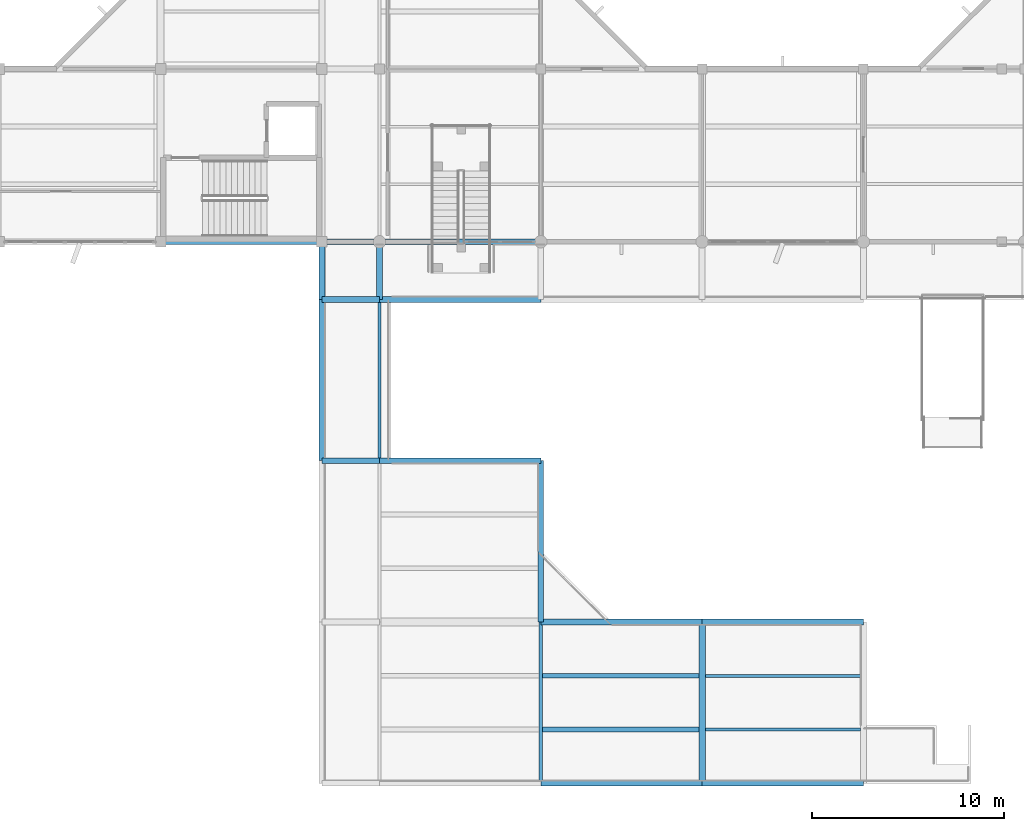
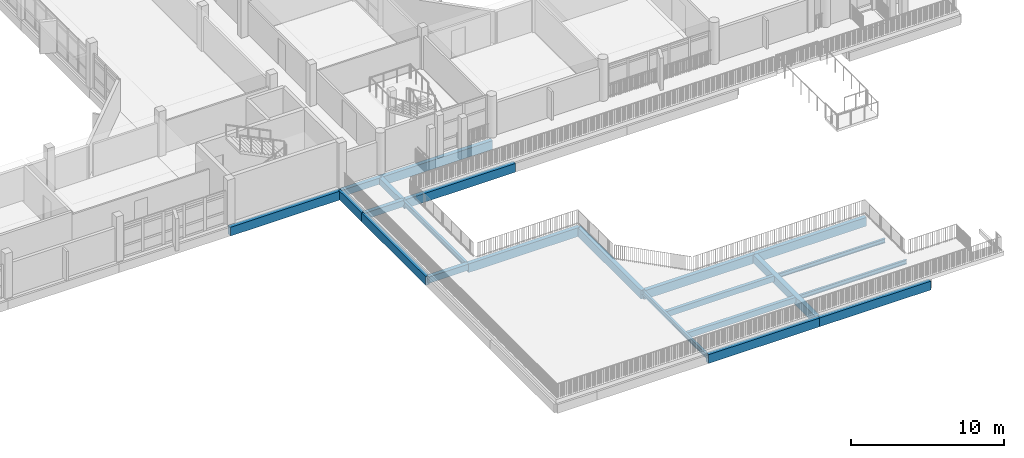
# One storey, part 4 of 51: 22 beams.
"""IFC4 building model written with IfcOpenShell, lengths in metres."""

from ifc_helpers import new_model, si_unit, direction, frame, origin, origin_2d, place, context, subcontext, project, spatial, rectangle, i_section, extrude, material, material_profile, profile_set, type_object, element, save


model = new_model("IFC4")

# Units and contexts
model_context = context("Model", 3, precision=1e-05, world=origin(), true_north=direction((0.0, 1.0)))
body_context = subcontext(model_context, "Body", "Model", "MODEL_VIEW")
ifc_project = project(units=[si_unit("LENGTHUNIT", "METRE"), si_unit("AREAUNIT", "SQUARE_METRE"), si_unit("VOLUMEUNIT", "CUBIC_METRE"), si_unit("PLANEANGLEUNIT", "RADIAN"), si_unit("MASSUNIT", "GRAM", prefix="KILO")], contexts=[model_context])

# Site, building, storey
site_placement = place(None, origin())
site = spatial("IfcSite", under=ifc_project, at=site_placement, CompositionType="ELEMENT")
building_placement = place(site_placement, origin())
building = spatial("IfcBuilding", under=site, at=building_placement, Name="Vanh Quang Courtyard School", CompositionType="ELEMENT")
storey_placement = place(building_placement, frame((0.0, 0.0, 11.39990234375)))
storey = spatial("IfcBuildingStorey", under=building, at=storey_placement, Name="L03", CompositionType="ELEMENT", Elevation=11.39990234375)

# Beams
ifc_material_1 = material(Name="Concrete C35/45", Category="concrete")
ifc_material_profile_1 = material_profile(ifc_material_1, rectangle(XDim=0.300048828125, YDim=0.5, at=origin_2d()), Name="RC-BM 300x500")
ifc_profile_set_1 = profile_set([ifc_material_profile_1], Name="Concrete C35/45")
beam_type_1 = type_object("IfcBeamType", Name="BM-RC-300x500", PredefinedType="BEAM", material=ifc_profile_set_1)
for number, where, z_axis, x_axis, name in (
    (1, (74.39990234375, 21.0, -0.56982421875), (1.0, 0.0, 0.0), (0.0, 1.0, 0.0), "Beam B-08 (L03)"),
    (2, (74.39990234375, 29.39990234375, -0.56982421875), (1.0, 0.0, 0.0), (0.0, 1.0, 0.0), "Beam B-08 (L03)"),
    (3, (74.39990234375, 32.39990234375, -0.56982421875), (1.0, 0.0, 0.0), (0.0, 1.0, 0.0), "Beam B-08 (L03)"),
):
    element("IfcBeam", number, at=place(storey_placement, frame(where, z_axis=z_axis, x_axis=x_axis)), inside=storey, type_object=beam_type_1, Name=name, PredefinedType="BEAM", context=body_context, shape_type="SweptSolid", body=[
        extrude(rectangle(XDim=0.300048828125, YDim=0.5, at=origin_2d()), origin(), (0.0, 0.0, 1.0), 3.0),
    ])
ifc_material_profile_2 = material_profile(ifc_material_1, rectangle(XDim=0.300048828125, YDim=0.550048828125, at=origin_2d()), Name="RC-BM 300x550")
ifc_profile_set_2 = profile_set([ifc_material_profile_2], Name="Concrete C35/45")
beam_type_2 = type_object("IfcBeamType", Name="BM-RC-300x550", PredefinedType="BEAM", material=ifc_profile_set_2)
beam_1_placement = place(storey_placement, frame((77.39990234375, 29.39990234375, -0.594970703125), z_axis=(0.0, 1.0, 0.0), x_axis=(-1.0, 0.0, 0.0)))
element("IfcBeam", 4, at=beam_1_placement, inside=storey, type_object=beam_type_2, Name="Beam B-07 (L03)", PredefinedType="BEAM", context=body_context, shape_type="SweptSolid", body=[
    extrude(rectangle(XDim=0.300048828125, YDim=0.550048828125, at=origin_2d()), origin(), (0.0, 0.0, 1.0), 3.0),
])
ifc_material_profile_3 = material_profile(ifc_material_1, rectangle(XDim=0.35009765625, YDim=0.64990234375, at=origin_2d()), Name="RC-BM 350x650")
ifc_profile_set_3 = profile_set([ifc_material_profile_3], Name="Concrete C35/45")
beam_type_3 = type_object("IfcBeamType", Name="BM-RC-350x650", PredefinedType="BEAM", material=ifc_profile_set_3)
beam_2_placement = place(storey_placement, frame((94.199951171875, 4.199951171875, -0.64501953125), z_axis=(0.0, 1.0, 0.0), x_axis=(-1.0, 0.0, 0.0)))
element("IfcBeam", 5, at=beam_2_placement, inside=storey, type_object=beam_type_3, Name="Beam B-05 (L03)", PredefinedType="BEAM", context=body_context, shape_type="SweptSolid", body=[
    extrude(rectangle(XDim=0.35009765625, YDim=0.64990234375, at=origin_2d()), origin(), (0.0, 0.0, 1.0), 8.400146484375),
])
ifc_material_profile_4 = material_profile(ifc_material_1, rectangle(XDim=0.300048828125, YDim=0.699951171875, at=origin_2d()), Name="RC-SP 300x700")
ifc_profile_set_4 = profile_set([ifc_material_profile_4], Name="Concrete C35/45")
beam_type_4 = type_object("IfcBeamType", Name="BM-SP-300x700", PredefinedType="SPANDREL", material=ifc_profile_set_4)
beam_3_placement = place(storey_placement, frame((85.800048828125, 4.199951171875, -0.669921875), z_axis=(1.0, 0.0, 0.0), x_axis=(0.0, 1.0, 0.0)))
element("IfcBeam", 6, at=beam_3_placement, inside=storey, type_object=beam_type_4, Name="Beam BS-01 (L03)", PredefinedType="SPANDREL", context=body_context, shape_type="SweptSolid", body=[
    extrude(rectangle(XDim=0.300048828125, YDim=0.699951171875, at=origin_2d()), origin(), (0.0, 0.0, 1.0), 8.39990234375),
])
beam_4_placement = place(storey_placement, frame((94.199951171875, 4.199951171875, -0.669921875), z_axis=(1.0, 0.0, 0.0), x_axis=(0.0, 1.0, 0.0)))
element("IfcBeam", 7, at=beam_4_placement, inside=storey, type_object=beam_type_4, Name="Beam BS-01 (L03)", PredefinedType="SPANDREL", context=body_context, shape_type="SweptSolid", body=[
    extrude(rectangle(XDim=0.300048828125, YDim=0.699951171875, at=origin_2d()), origin(), (0.0, 0.0, 1.0), 8.400146484375),
])
beam_5_placement = place(storey_placement, frame((85.800048828125, 12.60009765625, -0.669921875), z_axis=(1.0, 0.0, 0.0), x_axis=(0.0, 1.0, 0.0)))
element("IfcBeam", 8, at=beam_5_placement, inside=storey, type_object=beam_type_4, Name="Beam BS-01 (L03)", PredefinedType="SPANDREL", context=body_context, shape_type="SweptSolid", body=[
    extrude(rectangle(XDim=0.300048828125, YDim=0.699951171875, at=origin_2d()), origin(), (0.0, 0.0, 1.0), 8.39990234375),
])
for number, where, z_axis, x_axis, name in (
    (9, (94.199951171875, 12.60009765625, -0.669921875), (1.0, 0.0, 0.0), (0.0, 1.0, 0.0), "Beam BS-01 (L03)"),
    (10, (77.39990234375, 21.0, -0.669921875), (1.0, 0.0, 0.0), (0.0, 1.0, 0.0), "Beam BS-01 (L03)"),
    (11, (77.39990234375, 29.39990234375, -0.669921875), (1.0, 0.0, 0.0), (0.0, 1.0, 0.0), "Beam BS-01 (L03)"),
):
    element("IfcBeam", number, at=place(storey_placement, frame(where, z_axis=z_axis, x_axis=x_axis)), inside=storey, type_object=beam_type_4, Name=name, PredefinedType="SPANDREL", context=body_context, shape_type="SweptSolid", body=[
        extrude(rectangle(XDim=0.300048828125, YDim=0.699951171875, at=origin_2d()), origin(), (0.0, 0.0, 1.0), 8.400146484375),
    ])
beam_6_placement = place(storey_placement, frame((66.0, 32.39990234375, -0.669921875), z_axis=(1.0, 0.0, 0.0), x_axis=(0.0, 1.0, 0.0)))
element("IfcBeam", 12, at=beam_6_placement, inside=storey, type_object=beam_type_4, Name="Beam BS-01 (L03)", PredefinedType="SPANDREL", context=body_context, shape_type="SweptSolid", body=[
    extrude(rectangle(XDim=0.300048828125, YDim=0.699951171875, at=origin_2d()), origin(), (0.0, 0.0, 1.0), 8.39990234375),
])
beam_7_placement = place(storey_placement, frame((77.39990234375, 32.39990234375, -0.669921875), z_axis=(1.0, 0.0, 0.0), x_axis=(0.0, 1.0, 0.0)))
element("IfcBeam", 13, at=beam_7_placement, inside=storey, type_object=beam_type_4, Name="Beam BS-01 (L03)", PredefinedType="SPANDREL", context=body_context, shape_type="SweptSolid", body=[
    extrude(rectangle(XDim=0.300048828125, YDim=0.699951171875, at=origin_2d()), origin(), (0.0, 0.0, 1.0), 8.400146484375),
])
beam_8_placement = place(storey_placement, frame((74.39990234375, 21.0, -0.669921875), z_axis=(0.0, 1.0, 0.0), x_axis=(-1.0, 0.0, 0.0)))
element("IfcBeam", 14, at=beam_8_placement, inside=storey, type_object=beam_type_4, Name="Beam BS-01 (L03)", PredefinedType="SPANDREL", context=body_context, shape_type="SweptSolid", body=[
    extrude(rectangle(XDim=0.300048828125, YDim=0.699951171875, at=origin_2d()), origin(), (0.0, 0.0, 1.0), 8.39990234375),
])
beam_9_placement = place(storey_placement, frame((74.39990234375, 29.39990234375, -0.669921875), z_axis=(0.0, 1.0, 0.0), x_axis=(-1.0, 0.0, 0.0)))
element("IfcBeam", 15, at=beam_9_placement, inside=storey, type_object=beam_type_4, Name="Beam BS-01 (L03)", PredefinedType="SPANDREL", context=body_context, shape_type="SweptSolid", body=[
    extrude(rectangle(XDim=0.300048828125, YDim=0.699951171875, at=origin_2d()), origin(), (0.0, 0.0, 1.0), 3.0),
])
beam_10_placement = place(storey_placement, frame((85.800048828125, 12.60009765625, -0.669921875), z_axis=(0.0, 1.0, 0.0), x_axis=(-1.0, 0.0, 0.0)))
element("IfcBeam", 16, at=beam_10_placement, inside=storey, type_object=beam_type_4, Name="Beam BS-01 (L03)", PredefinedType="SPANDREL", context=body_context, shape_type="SweptSolid", body=[
    extrude(rectangle(XDim=0.300048828125, YDim=0.699951171875, at=origin_2d()), origin(), (0.0, 0.0, 1.0), 8.39990234375),
])
ifc_material_2 = material(Name="Structural steel EN 10025-2 S355J2", Category="steel")
ifc_material_profile_5 = material_profile(ifc_material_2, i_section(OverallWidth=0.169921875, OverallDepth=0.360107421875, WebThickness=0.008056640625, FlangeThickness=0.0126953125, FilletRadius=0.01806640625, at=origin_2d()), Name="IPE 360")
ifc_profile_set_5 = profile_set([ifc_material_profile_5], Name="Structural steel EN 10025-2 S355J2")
beam_type_5 = type_object("IfcBeamType", Name="BM-STL-IPE360", PredefinedType="BEAM", material=ifc_profile_set_5)
beam_11_placement = place(storey_placement, frame((85.800048828125, 4.199951171875, -0.5), z_axis=(0.0, 1.0, 0.0), x_axis=(-1.0, 0.0, 0.0)))
element("IfcBeam", 17, at=beam_11_placement, inside=storey, type_object=beam_type_5, Name="Beam SB-06 (L03)", PredefinedType="BEAM", context=body_context, shape_type="SweptSolid", body=[
    extrude(i_section(OverallWidth=0.169921875, OverallDepth=0.360107421875, WebThickness=0.008056640625, FlangeThickness=0.0126953125, FilletRadius=0.01806640625, at=origin_2d()), origin(), (0.0, 0.0, 1.0), 8.400146484375),
])
ifc_material_profile_6 = material_profile(ifc_material_2, i_section(OverallWidth=0.179931640625, OverallDepth=0.39990234375, WebThickness=0.008544921875, FlangeThickness=0.013427734375, FilletRadius=0.02099609375, at=origin_2d()), Name="IPE 400")
ifc_profile_set_6 = profile_set([ifc_material_profile_6], Name="Structural steel EN 10025-2 S355J2")
beam_type_6 = type_object("IfcBeamType", Name="BM-STL-IPE400", PredefinedType="BEAM", material=ifc_profile_set_6)
beam_12_placement = place(storey_placement, frame((77.39990234375, 21.0, -0.52001953125), z_axis=(0.0, 1.0, 0.0), x_axis=(-1.0, 0.0, 0.0)))
element("IfcBeam", 18, at=beam_12_placement, inside=storey, type_object=beam_type_6, Name="Beam SB-05 (L03)", PredefinedType="BEAM", context=body_context, shape_type="SweptSolid", body=[
    extrude(i_section(OverallWidth=0.179931640625, OverallDepth=0.39990234375, WebThickness=0.008544921875, FlangeThickness=0.013427734375, FilletRadius=0.02099609375, at=origin_2d()), origin(), (0.0, 0.0, 1.0), 8.39990234375),
])
ifc_material_3 = material(Name="Concrete C30/37", Category="concrete")
ifc_material_profile_7 = material_profile(ifc_material_3, rectangle(XDim=0.25, YDim=0.449951171875, at=origin_2d()), Name="RC-JST 250x450")
ifc_profile_set_7 = profile_set([ifc_material_profile_7], Name="Concrete C30/37")
beam_type_7 = type_object("IfcBeamType", Name="JST-RC-250x450", PredefinedType="JOIST", material=ifc_profile_set_7)
for number, where, z_axis, x_axis, name in (
    (19, (85.885009765625, 7.0, -0.544921875), (1.0, 0.0, 0.0), (0.0, 1.0, 0.0), "Beam BJ-02 (L03)"),
    (20, (85.885009765625, 9.800048828125, -0.544921875), (1.0, 0.0, 0.0), (0.0, 1.0, 0.0), "Beam BJ-02 (L03)"),
):
    element("IfcBeam", number, at=place(storey_placement, frame(where, z_axis=z_axis, x_axis=x_axis)), inside=storey, type_object=beam_type_7, Name=name, PredefinedType="JOIST", context=body_context, shape_type="SweptSolid", body=[
        extrude(rectangle(XDim=0.25, YDim=0.449951171875, at=origin_2d()), origin(), (0.0, 0.0, 1.0), 8.139892578125),
    ])
ifc_material_profile_8 = material_profile(ifc_material_2, i_section(OverallWidth=0.159912109375, OverallDepth=0.330078125, WebThickness=0.007568359375, FlangeThickness=0.011474609375, FilletRadius=0.01806640625, at=origin_2d()), Name="IPE 330")
ifc_profile_set_8 = profile_set([ifc_material_profile_8], Name="Structural steel EN 10025-2 S355J2")
beam_type_8 = type_object("IfcBeamType", Name="JST-STL-IPE330", PredefinedType="JOIST", material=ifc_profile_set_8)
for number, where, z_axis, x_axis, name in (
    (21, (94.375, 7.0, -0.48486328125), (1.0, 0.0, 0.0), (0.0, 1.0, 0.0), "Beam SJ-01 (L03)"),
    (22, (94.375, 9.800048828125, -0.48486328125), (1.0, 0.0, 0.0), (0.0, 1.0, 0.0), "Beam SJ-01 (L03)"),
):
    element("IfcBeam", number, at=place(storey_placement, frame(where, z_axis=z_axis, x_axis=x_axis)), inside=storey, type_object=beam_type_8, Name=name, PredefinedType="JOIST", context=body_context, shape_type="SweptSolid", body=[
        extrude(i_section(OverallWidth=0.159912109375, OverallDepth=0.330078125, WebThickness=0.007568359375, FlangeThickness=0.011474609375, FilletRadius=0.01806640625, at=origin_2d()), origin(), (0.0, 0.0, 1.0), 8.074951171875),
    ])

save(model, "model.ifc")
